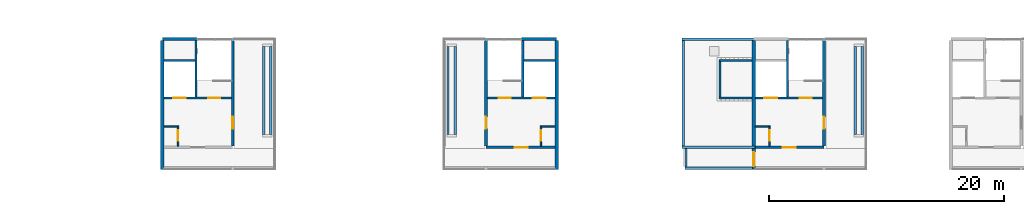
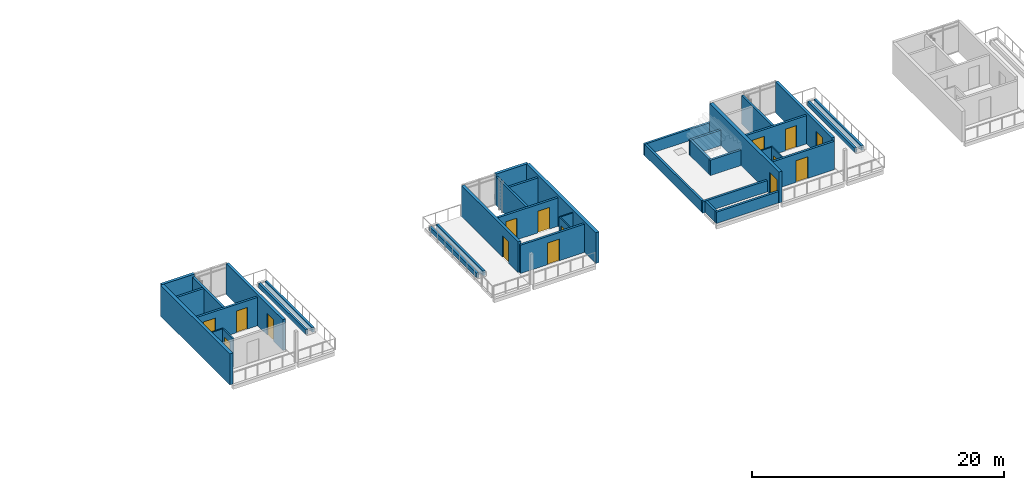
# One storey, part 24 of 33: 38 walls, 15 doors, 15 openings.
"""IFC4 building model written with IfcOpenShell, lengths in metres."""

from ifc_helpers import new_model, si_unit, direction, frame, frame_2d, origin, place, context, subcontext, project, spatial, rectangle, extrude, material, layer, layer_set, type_object, element, fill, save


model = new_model("IFC4")

# Units and contexts
model_context = context("Model", 3, precision=1e-05, world=origin(), true_north=direction((0.0, 1.0)))
body_context = subcontext(model_context, "Body", "Model", "MODEL_VIEW")
ifc_project = project(units=[si_unit("LENGTHUNIT", "METRE"), si_unit("AREAUNIT", "SQUARE_METRE"), si_unit("VOLUMEUNIT", "CUBIC_METRE"), si_unit("PLANEANGLEUNIT", "RADIAN"), si_unit("MASSUNIT", "GRAM", prefix="KILO")], contexts=[model_context])

# Site, building, storey
site_placement = place(None, origin())
site = spatial("IfcSite", under=ifc_project, at=site_placement, CompositionType="ELEMENT")
building_placement = place(site_placement, origin())
building = spatial("IfcBuilding", under=site, at=building_placement, Name="Ridgestep Commons", CompositionType="ELEMENT")
storey_placement = place(building_placement, frame((0.0, 0.0, 42.0)))
storey = spatial("IfcBuildingStorey", under=building, at=storey_placement, Name="L14", CompositionType="ELEMENT", Elevation=42.0)

# Wall, opening, door
ifc_material_1 = material(Name="Concrete C30/37", Category="concrete")
ifc_layer_1 = layer(ifc_material_1, 0.199951171875)
ifc_layer_set_1 = layer_set([ifc_layer_1], Name="Core south wall 200")
wall_type_1 = type_object("IfcWallType", Name="Core south wall 200", PredefinedType="SHEAR", material=ifc_layer_set_1)
wall_1_placement = place(storey_placement, frame((191.199951171875, 13.64990234375, 0.0), z_axis=(0.0, 0.0, 1.0), x_axis=(1.0, 0.0, 0.0)))
wall_1 = element("IfcWall", 1, at=wall_1_placement, inside=storey, type_object=wall_type_1, Name="Core south wall D3C L14", PredefinedType="SHEAR", context=body_context, shape_type="SweptSolid", body=[
    extrude(rectangle(XDim=5.85009765625, YDim=0.199951171875, at=frame_2d((2.925048828125, 0.0))), origin(), (0.0, 0.0, 1.0), 2.75),
])
opening_1_placement = place(wall_1_placement, frame((2.4375, 0.0, 0.0)))
opening_1 = element("IfcOpeningElement", 2, at=opening_1_placement, cuts=wall_1, Name="Opening D3C/14/1", PredefinedType="OPENING", context=body_context, shape_type="SweptSolid", body=[
    extrude(rectangle(XDim=1.10009765625, YDim=2.10009765625, at=frame_2d((0.550048828125, 1.050048828125))), frame((0.0, 0.10986328125, 0.0), z_axis=(0.0, -1.0, 0.0), x_axis=(1.0, 0.0, 0.0)), (0.0, 0.0, 1.0), 0.219970703125),
])
ifc_material_2 = material(Name="Steel fire door", Category="steel")
door_type_1 = type_object("IfcDoorType", Name="Lobby door 1100 x 2100 FD60", OperationType="NOTDEFINED", PredefinedType="DOOR", material=ifc_material_2)
door_1_placement = place(opening_1_placement, origin())
door_1 = element("IfcDoor", 3, at=door_1_placement, inside=storey, type_object=door_type_1, Name="Lobby door D3C/14/1", OperationType="SINGLE_SWING_LEFT", OverallHeight=2.10009765625, OverallWidth=1.10009765625, PredefinedType="DOOR", context=body_context, shape_type="SweptSolid", body=[
    extrude(rectangle(XDim=1.10009765625, YDim=2.10009765625, at=frame_2d((0.550048828125, 1.050048828125))), frame((0.0, 0.02490234375, 0.0), z_axis=(0.0, -1.0, 0.0), x_axis=(1.0, 0.0, 0.0)), (0.0, 0.0, 1.0), 0.050048828125),
])
fill(opening_1, door_1)

wall_2_placement = place(storey_placement, frame((214.14990234375, 13.64990234375, 0.0), z_axis=(0.0, 0.0, 1.0), x_axis=(1.0, 0.0, 0.0)))
wall_2 = element("IfcWall", 4, at=wall_2_placement, inside=storey, type_object=wall_type_1, Name="Core south wall D5C L14", PredefinedType="SHEAR", context=body_context, shape_type="SweptSolid", body=[
    extrude(rectangle(XDim=5.85009765625, YDim=0.199951171875, at=frame_2d((2.925048828125, 0.0))), origin(), (0.0, 0.0, 1.0), 2.75),
])
opening_2_placement = place(wall_2_placement, frame((2.3125, 0.0, 0.0)))
opening_2 = element("IfcOpeningElement", 5, at=opening_2_placement, cuts=wall_2, Name="Opening D5C/14/1", PredefinedType="OPENING", context=body_context, shape_type="SweptSolid", body=[
    extrude(rectangle(XDim=1.10009765625, YDim=2.10009765625, at=frame_2d((0.550048828125, 1.050048828125))), frame((0.0, 0.10986328125, 0.0), z_axis=(0.0, -1.0, 0.0), x_axis=(1.0, 0.0, 0.0)), (0.0, 0.0, 1.0), 0.219970703125),
])
door_2_placement = place(opening_2_placement, origin())
door_2 = element("IfcDoor", 6, at=door_2_placement, inside=storey, type_object=door_type_1, Name="Lobby door D5C/14/1", OperationType="SINGLE_SWING_LEFT", OverallHeight=2.10009765625, OverallWidth=1.10009765625, PredefinedType="DOOR", context=body_context, shape_type="SweptSolid", body=[
    extrude(rectangle(XDim=1.10009765625, YDim=2.10009765625, at=frame_2d((0.550048828125, 1.050048828125))), frame((0.0, 0.02490234375, 0.0), z_axis=(0.0, -1.0, 0.0), x_axis=(1.0, 0.0, 0.0)), (0.0, 0.0, 1.0), 0.050048828125),
])
fill(opening_2, door_2)

ifc_material_3 = material(Name="Concrete C30/37", Category="concrete")
ifc_layer_2 = layer(ifc_material_3, 0.1201171875)
ifc_layer_set_2 = layer_set([ifc_layer_2], Name="Core wall 120")
wall_type_2 = type_object("IfcWallType", Name="Core wall 120", PredefinedType="SHEAR", material=ifc_layer_set_2)
wall_3_placement = place(storey_placement, frame((164.93994140625, 13.75, 0.0), z_axis=(0.0, 0.0, 1.0), x_axis=(0.0, 1.0, 0.0)))
wall_3 = element("IfcWall", 7, at=wall_3_placement, inside=storey, type_object=wall_type_2, Name="Core riser w wall D2C L14", PredefinedType="SHEAR", context=body_context, shape_type="SweptSolid", body=[
    extrude(rectangle(XDim=1.719970703125, YDim=0.1201171875, at=frame_2d((0.85986328125, 0.0))), origin(), (0.0, 0.0, 1.0), 2.75),
])
opening_3_placement = place(wall_3_placement, frame((0.449951171875, 0.0, 0.0)))
opening_3 = element("IfcOpeningElement", 8, at=opening_3_placement, cuts=wall_3, Name="Opening D2C/14/4", PredefinedType="OPENING", context=body_context, shape_type="SweptSolid", body=[
    extrude(rectangle(XDim=0.89990234375, YDim=2.10009765625, at=frame_2d((0.449951171875, 1.050048828125))), frame((0.0, 0.070068359375, 0.0), z_axis=(0.0, -1.0, 0.0), x_axis=(1.0, 0.0, 0.0)), (0.0, 0.0, 1.0), 0.14013671875),
])
ifc_material_4 = material(Name="Steel fire door", Category="steel")
door_type_2 = type_object("IfcDoorType", Name="Riser door 900 x 2100 FD60", OperationType="NOTDEFINED", PredefinedType="DOOR", material=ifc_material_4)
door_3_placement = place(opening_3_placement, origin())
door_3 = element("IfcDoor", 9, at=door_3_placement, inside=storey, type_object=door_type_2, Name="Riser door D2C/14/4", OperationType="SINGLE_SWING_RIGHT", OverallHeight=2.10009765625, OverallWidth=0.89990234375, PredefinedType="DOOR", context=body_context, shape_type="SweptSolid", body=[
    extrude(rectangle(XDim=0.89990234375, YDim=2.10009765625, at=frame_2d((0.449951171875, 1.050048828125))), frame((0.0, 0.02490234375, 0.0), z_axis=(0.0, -1.0, 0.0), x_axis=(1.0, 0.0, 0.0)), (0.0, 0.0, 1.0), 0.050048828125),
])
fill(opening_3, door_3)

# Wall
wall_4_placement = place(storey_placement, frame((163.75, 15.409912109375, 0.0), z_axis=(0.0, 0.0, 1.0), x_axis=(1.0, 0.0, 0.0)))
element("IfcWall", 10, at=wall_4_placement, inside=storey, type_object=wall_type_2, Name="Core riser n wall D2C L14", PredefinedType="SHEAR", context=body_context, shape_type="SweptSolid", body=[
    extrude(rectangle(XDim=1.1298828125, YDim=0.1201171875, at=frame_2d((0.56494140625, 0.0))), origin(), (0.0, 0.0, 1.0), 2.75),
])

# Wall, opening, door
wall_5_placement = place(storey_placement, frame((195.860107421875, 13.75, 0.0), z_axis=(0.0, 0.0, 1.0), x_axis=(0.0, 1.0, 0.0)))
wall_5 = element("IfcWall", 11, at=wall_5_placement, inside=storey, type_object=wall_type_2, Name="Core riser w wall D3C L14", PredefinedType="SHEAR", context=body_context, shape_type="SweptSolid", body=[
    extrude(rectangle(XDim=1.719970703125, YDim=0.1201171875, at=frame_2d((0.85986328125, 0.0))), origin(), (0.0, 0.0, 1.0), 2.75),
])
opening_4_placement = place(wall_5_placement, frame((0.449951171875, 0.0, 0.0)))
opening_4 = element("IfcOpeningElement", 12, at=opening_4_placement, cuts=wall_5, Name="Opening D3C/14/4", PredefinedType="OPENING", context=body_context, shape_type="SweptSolid", body=[
    extrude(rectangle(XDim=0.89990234375, YDim=2.10009765625, at=frame_2d((0.449951171875, 1.050048828125))), frame((0.0, 0.070068359375, 0.0), z_axis=(0.0, -1.0, 0.0), x_axis=(1.0, 0.0, 0.0)), (0.0, 0.0, 1.0), 0.14013671875),
])
door_4_placement = place(opening_4_placement, origin())
door_4 = element("IfcDoor", 13, at=door_4_placement, inside=storey, type_object=door_type_2, Name="Riser door D3C/14/4", OperationType="SINGLE_SWING_LEFT", OverallHeight=2.10009765625, OverallWidth=0.89990234375, PredefinedType="DOOR", context=body_context, shape_type="SweptSolid", body=[
    extrude(rectangle(XDim=0.89990234375, YDim=2.10009765625, at=frame_2d((0.449951171875, 1.050048828125))), frame((0.0, 0.02490234375, 0.0), z_axis=(0.0, -1.0, 0.0), x_axis=(1.0, 0.0, 0.0)), (0.0, 0.0, 1.0), 0.050048828125),
])
fill(opening_4, door_4)

# Wall
wall_6_placement = place(storey_placement, frame((195.919921875, 15.409912109375, 0.0), z_axis=(0.0, 0.0, 1.0), x_axis=(1.0, 0.0, 0.0)))
element("IfcWall", 14, at=wall_6_placement, inside=storey, type_object=wall_type_2, Name="Core riser n wall D3C L14", PredefinedType="SHEAR", context=body_context, shape_type="SweptSolid", body=[
    extrude(rectangle(XDim=1.130126953125, YDim=0.1201171875, at=frame_2d((0.56494140625, 0.0))), origin(), (0.0, 0.0, 1.0), 2.75),
])

# Wall, opening, door
wall_7_placement = place(storey_placement, frame((215.340087890625, 13.75, 0.0), z_axis=(0.0, 0.0, 1.0), x_axis=(0.0, 1.0, 0.0)))
wall_7 = element("IfcWall", 15, at=wall_7_placement, inside=storey, type_object=wall_type_2, Name="Core riser w wall D5C L14", PredefinedType="SHEAR", context=body_context, shape_type="SweptSolid", body=[
    extrude(rectangle(XDim=1.719970703125, YDim=0.1201171875, at=frame_2d((0.85986328125, 0.0))), origin(), (0.0, 0.0, 1.0), 2.75),
])
opening_5_placement = place(wall_7_placement, frame((0.449951171875, 0.0, 0.0)))
opening_5 = element("IfcOpeningElement", 16, at=opening_5_placement, cuts=wall_7, Name="Opening D5C/14/4", PredefinedType="OPENING", context=body_context, shape_type="SweptSolid", body=[
    extrude(rectangle(XDim=0.89990234375, YDim=2.10009765625, at=frame_2d((0.449951171875, 1.050048828125))), frame((0.0, 0.070068359375, 0.0), z_axis=(0.0, -1.0, 0.0), x_axis=(1.0, 0.0, 0.0)), (0.0, 0.0, 1.0), 0.14013671875),
])
door_5_placement = place(opening_5_placement, origin())
door_5 = element("IfcDoor", 17, at=door_5_placement, inside=storey, type_object=door_type_2, Name="Riser door D5C/14/4", OperationType="SINGLE_SWING_RIGHT", OverallHeight=2.10009765625, OverallWidth=0.89990234375, PredefinedType="DOOR", context=body_context, shape_type="SweptSolid", body=[
    extrude(rectangle(XDim=0.89990234375, YDim=2.10009765625, at=frame_2d((0.449951171875, 1.050048828125))), frame((0.0, 0.02490234375, 0.0), z_axis=(0.0, -1.0, 0.0), x_axis=(1.0, 0.0, 0.0)), (0.0, 0.0, 1.0), 0.050048828125),
])
fill(opening_5, door_5)

# Wall
wall_8_placement = place(storey_placement, frame((214.14990234375, 15.409912109375, 0.0), z_axis=(0.0, 0.0, 1.0), x_axis=(1.0, 0.0, 0.0)))
element("IfcWall", 18, at=wall_8_placement, inside=storey, type_object=wall_type_2, Name="Core riser n wall D5C L14", PredefinedType="SHEAR", context=body_context, shape_type="SweptSolid", body=[
    extrude(rectangle(XDim=1.130126953125, YDim=0.1201171875, at=frame_2d((0.56494140625, 0.0))), origin(), (0.0, 0.0, 1.0), 2.75),
])

# Wall, openings, doors
ifc_material_5 = material(Name="Concrete C30/37", Category="concrete")
ifc_layer_3 = layer(ifc_material_5, 0.199951171875)
ifc_layer_set_3 = layer_set([ifc_layer_3], Name="Core wall 200")
wall_type_3 = type_object("IfcWallType", Name="Core wall 200", PredefinedType="SHEAR", material=ifc_layer_set_3)
wall_9_placement = place(storey_placement, frame((163.75, 17.85009765625, 0.0), z_axis=(0.0, 0.0, 1.0), x_axis=(1.0, 0.0, 0.0)))
wall_9 = element("IfcWall", 19, at=wall_9_placement, inside=storey, type_object=wall_type_3, Name="Core lobby wall D2C L14", PredefinedType="SHEAR", context=body_context, shape_type="SweptSolid", body=[
    extrude(rectangle(XDim=5.72509765625, YDim=0.199951171875, at=frame_2d((2.862548828125, 0.0))), origin(), (0.0, 0.0, 1.0), 2.75),
])
opening_6_placement = place(wall_9_placement, frame((3.77490234375, 0.0, 0.0)))
opening_6 = element("IfcOpeningElement", 20, at=opening_6_placement, cuts=wall_9, Name="Opening D2C/14/2", PredefinedType="OPENING", context=body_context, shape_type="SweptSolid", body=[
    extrude(rectangle(XDim=1.0, YDim=2.10009765625, at=frame_2d((0.5, 1.050048828125))), frame((0.0, 0.10986328125, 0.0), z_axis=(0.0, -1.0, 0.0), x_axis=(1.0, 0.0, 0.0)), (0.0, 0.0, 1.0), 0.219970703125),
])
opening_7_placement = place(wall_9_placement, frame((0.762451171875, 0.0, 0.0)))
opening_7 = element("IfcOpeningElement", 21, at=opening_7_placement, cuts=wall_9, Name="Opening D2C/14/3", PredefinedType="OPENING", context=body_context, shape_type="SweptSolid", body=[
    extrude(rectangle(XDim=1.10009765625, YDim=2.10009765625, at=frame_2d((0.550048828125, 1.050048828125))), frame((0.0, 0.10986328125, 0.0), z_axis=(0.0, -1.0, 0.0), x_axis=(1.0, 0.0, 0.0)), (0.0, 0.0, 1.0), 0.219970703125),
])
ifc_material_6 = material(Name="Stainless steel", Category="steel")
door_type_3 = type_object("IfcDoorType", Name="Lift landing door 1100 x 2100 FD60", OperationType="DOUBLE_DOOR_SLIDING", PredefinedType="DOOR", material=ifc_material_6)
door_6_placement = place(opening_7_placement, origin())
door_6 = element("IfcDoor", 22, at=door_6_placement, inside=storey, type_object=door_type_3, Name="Landing door LD D2C L14", OperationType="DOUBLE_DOOR_SLIDING", OverallHeight=2.10009765625, OverallWidth=1.10009765625, PredefinedType="DOOR", context=body_context, shape_type="SweptSolid", body=[
    extrude(rectangle(XDim=1.10009765625, YDim=2.10009765625, at=frame_2d((0.550048828125, 1.050048828125))), frame((0.0, 0.02490234375, 0.0), z_axis=(0.0, -1.0, 0.0), x_axis=(1.0, 0.0, 0.0)), (0.0, 0.0, 1.0), 0.050048828125),
])
fill(opening_7, door_6)
ifc_material_7 = material(Name="Steel fire door", Category="steel")
door_type_4 = type_object("IfcDoorType", Name="Stair door 1000 x 2100 FD60", OperationType="NOTDEFINED", PredefinedType="DOOR", material=ifc_material_7)
door_7_placement = place(opening_6_placement, origin())
door_7 = element("IfcDoor", 23, at=door_7_placement, inside=storey, type_object=door_type_4, Name="Stair door D2C/14/2", OperationType="SINGLE_SWING_RIGHT", OverallHeight=2.10009765625, OverallWidth=1.0, PredefinedType="DOOR", context=body_context, shape_type="SweptSolid", body=[
    extrude(rectangle(XDim=1.0, YDim=2.10009765625, at=frame_2d((0.5, 1.050048828125))), frame((0.0, 0.02490234375, 0.0), z_axis=(0.0, -1.0, 0.0), x_axis=(1.0, 0.0, 0.0)), (0.0, 0.0, 1.0), 0.050048828125),
])
fill(opening_6, door_7)

# Walls
wall_10_placement = place(storey_placement, frame((166.47509765625, 17.949951171875, 0.0), z_axis=(0.0, 0.0, 1.0), x_axis=(0.0, 1.0, 0.0)))
element("IfcWall", 24, at=wall_10_placement, inside=storey, type_object=wall_type_3, Name="Core stair wall D2C L14", PredefinedType="SHEAR", context=body_context, shape_type="SweptSolid", body=[
    extrude(rectangle(XDim=4.800048828125, YDim=0.199951171875, at=frame_2d((2.39990234375, 0.0))), origin(), (0.0, 0.0, 1.0), 2.75),
])
wall_11_placement = place(storey_placement, frame((163.75, 21.050048828125, 0.0), z_axis=(0.0, 0.0, 1.0), x_axis=(1.0, 0.0, 0.0)))
element("IfcWall", 25, at=wall_11_placement, inside=storey, type_object=wall_type_3, Name="Core duct wall D2C L14", PredefinedType="SHEAR", context=body_context, shape_type="SweptSolid", body=[
    extrude(rectangle(XDim=2.625, YDim=0.199951171875, at=frame_2d((1.3125, 0.0))), origin(), (0.0, 0.0, 1.0), 2.75),
])

# Wall, openings, doors
wall_12_placement = place(storey_placement, frame((191.324951171875, 17.85009765625, 0.0), z_axis=(0.0, 0.0, 1.0), x_axis=(1.0, 0.0, 0.0)))
wall_12 = element("IfcWall", 26, at=wall_12_placement, inside=storey, type_object=wall_type_3, Name="Core lobby wall D3C L14", PredefinedType="SHEAR", context=body_context, shape_type="SweptSolid", body=[
    extrude(rectangle(XDim=5.72509765625, YDim=0.199951171875, at=frame_2d((2.862548828125, 0.0))), origin(), (0.0, 0.0, 1.0), 2.75),
])
opening_8_placement = place(wall_12_placement, frame((0.949951171875, 0.0, 0.0)))
opening_8 = element("IfcOpeningElement", 27, at=opening_8_placement, cuts=wall_12, Name="Opening D3C/14/2", PredefinedType="OPENING", context=body_context, shape_type="SweptSolid", body=[
    extrude(rectangle(XDim=1.0, YDim=2.10009765625, at=frame_2d((0.5, 1.050048828125))), frame((0.0, 0.10986328125, 0.0), z_axis=(0.0, -1.0, 0.0), x_axis=(1.0, 0.0, 0.0)), (0.0, 0.0, 1.0), 0.219970703125),
])
opening_9_placement = place(wall_12_placement, frame((3.862548828125, 0.0, 0.0)))
opening_9 = element("IfcOpeningElement", 28, at=opening_9_placement, cuts=wall_12, Name="Opening D3C/14/3", PredefinedType="OPENING", context=body_context, shape_type="SweptSolid", body=[
    extrude(rectangle(XDim=1.10009765625, YDim=2.10009765625, at=frame_2d((0.550048828125, 1.050048828125))), frame((0.0, 0.10986328125, 0.0), z_axis=(0.0, -1.0, 0.0), x_axis=(1.0, 0.0, 0.0)), (0.0, 0.0, 1.0), 0.219970703125),
])
door_8_placement = place(opening_9_placement, origin())
door_8 = element("IfcDoor", 29, at=door_8_placement, inside=storey, type_object=door_type_3, Name="Landing door LD D3C L14", OperationType="DOUBLE_DOOR_SLIDING", OverallHeight=2.10009765625, OverallWidth=1.10009765625, PredefinedType="DOOR", context=body_context, shape_type="SweptSolid", body=[
    extrude(rectangle(XDim=1.10009765625, YDim=2.10009765625, at=frame_2d((0.550048828125, 1.050048828125))), frame((0.0, 0.02490234375, 0.0), z_axis=(0.0, -1.0, 0.0), x_axis=(1.0, 0.0, 0.0)), (0.0, 0.0, 1.0), 0.050048828125),
])
fill(opening_9, door_8)
door_9_placement = place(opening_8_placement, origin())
door_9 = element("IfcDoor", 30, at=door_9_placement, inside=storey, type_object=door_type_4, Name="Stair door D3C/14/2", OperationType="SINGLE_SWING_RIGHT", OverallHeight=2.10009765625, OverallWidth=1.0, PredefinedType="DOOR", context=body_context, shape_type="SweptSolid", body=[
    extrude(rectangle(XDim=1.0, YDim=2.10009765625, at=frame_2d((0.5, 1.050048828125))), frame((0.0, 0.02490234375, 0.0), z_axis=(0.0, -1.0, 0.0), x_axis=(1.0, 0.0, 0.0)), (0.0, 0.0, 1.0), 0.050048828125),
])
fill(opening_8, door_9)

# Walls
wall_13_placement = place(storey_placement, frame((194.324951171875, 17.949951171875, 0.0), z_axis=(0.0, 0.0, 1.0), x_axis=(0.0, 1.0, 0.0)))
element("IfcWall", 31, at=wall_13_placement, inside=storey, type_object=wall_type_3, Name="Core stair wall D3C L14", PredefinedType="SHEAR", context=body_context, shape_type="SweptSolid", body=[
    extrude(rectangle(XDim=4.800048828125, YDim=0.199951171875, at=frame_2d((2.39990234375, 0.0))), origin(), (0.0, 0.0, 1.0), 2.75),
])
wall_14_placement = place(storey_placement, frame((194.425048828125, 21.050048828125, 0.0), z_axis=(0.0, 0.0, 1.0), x_axis=(1.0, 0.0, 0.0)))
element("IfcWall", 32, at=wall_14_placement, inside=storey, type_object=wall_type_3, Name="Core duct wall D3C L14", PredefinedType="SHEAR", context=body_context, shape_type="SweptSolid", body=[
    extrude(rectangle(XDim=2.625, YDim=0.199951171875, at=frame_2d((1.3125, 0.0))), origin(), (0.0, 0.0, 1.0), 2.75),
])

# Wall, openings, doors
wall_15_placement = place(storey_placement, frame((214.14990234375, 17.85009765625, 0.0), z_axis=(0.0, 0.0, 1.0), x_axis=(1.0, 0.0, 0.0)))
wall_15 = element("IfcWall", 33, at=wall_15_placement, inside=storey, type_object=wall_type_3, Name="Core lobby wall D5C L14", PredefinedType="SHEAR", context=body_context, shape_type="SweptSolid", body=[
    extrude(rectangle(XDim=5.72509765625, YDim=0.199951171875, at=frame_2d((2.862548828125, 0.0))), origin(), (0.0, 0.0, 1.0), 2.75),
])
opening_10_placement = place(wall_15_placement, frame((3.77490234375, 0.0, 0.0)))
opening_10 = element("IfcOpeningElement", 34, at=opening_10_placement, cuts=wall_15, Name="Opening D5C/14/2", PredefinedType="OPENING", context=body_context, shape_type="SweptSolid", body=[
    extrude(rectangle(XDim=1.0, YDim=2.10009765625, at=frame_2d((0.5, 1.050048828125))), frame((0.0, 0.10986328125, 0.0), z_axis=(0.0, -1.0, 0.0), x_axis=(1.0, 0.0, 0.0)), (0.0, 0.0, 1.0), 0.219970703125),
])
opening_11_placement = place(wall_15_placement, frame((0.762451171875, 0.0, 0.0)))
opening_11 = element("IfcOpeningElement", 35, at=opening_11_placement, cuts=wall_15, Name="Opening D5C/14/3", PredefinedType="OPENING", context=body_context, shape_type="SweptSolid", body=[
    extrude(rectangle(XDim=1.10009765625, YDim=2.10009765625, at=frame_2d((0.550048828125, 1.050048828125))), frame((0.0, 0.10986328125, 0.0), z_axis=(0.0, -1.0, 0.0), x_axis=(1.0, 0.0, 0.0)), (0.0, 0.0, 1.0), 0.219970703125),
])
door_10_placement = place(opening_11_placement, origin())
door_10 = element("IfcDoor", 36, at=door_10_placement, inside=storey, type_object=door_type_3, Name="Landing door LD D5C L14", OperationType="DOUBLE_DOOR_SLIDING", OverallHeight=2.10009765625, OverallWidth=1.10009765625, PredefinedType="DOOR", context=body_context, shape_type="SweptSolid", body=[
    extrude(rectangle(XDim=1.10009765625, YDim=2.10009765625, at=frame_2d((0.550048828125, 1.050048828125))), frame((0.0, 0.02490234375, 0.0), z_axis=(0.0, -1.0, 0.0), x_axis=(1.0, 0.0, 0.0)), (0.0, 0.0, 1.0), 0.050048828125),
])
fill(opening_11, door_10)
door_11_placement = place(opening_10_placement, origin())
door_11 = element("IfcDoor", 37, at=door_11_placement, inside=storey, type_object=door_type_4, Name="Stair door D5C/14/2", OperationType="SINGLE_SWING_RIGHT", OverallHeight=2.10009765625, OverallWidth=1.0, PredefinedType="DOOR", context=body_context, shape_type="SweptSolid", body=[
    extrude(rectangle(XDim=1.0, YDim=2.10009765625, at=frame_2d((0.5, 1.050048828125))), frame((0.0, 0.02490234375, 0.0), z_axis=(0.0, -1.0, 0.0), x_axis=(1.0, 0.0, 0.0)), (0.0, 0.0, 1.0), 0.050048828125),
])
fill(opening_10, door_11)

# Wall
wall_16_placement = place(storey_placement, frame((216.875, 17.949951171875, 0.0), z_axis=(0.0, 0.0, 1.0), x_axis=(0.0, 1.0, 0.0)))
element("IfcWall", 38, at=wall_16_placement, inside=storey, type_object=wall_type_3, Name="Core stair wall D5C L14", PredefinedType="SHEAR", context=body_context, shape_type="SweptSolid", body=[
    extrude(rectangle(XDim=4.800048828125, YDim=0.199951171875, at=frame_2d((2.39990234375, 0.0))), origin(), (0.0, 0.0, 1.0), 2.75),
])

# Wall, opening, door
ifc_material_8 = material(Name="Concrete C30/37", Category="concrete")
ifc_layer_4 = layer(ifc_material_8, 0.25)
ifc_layer_set_4 = layer_set([ifc_layer_4], Name="Exposed core cross wall 250")
wall_type_4 = type_object("IfcWallType", Name="Exposed core cross wall 250", PredefinedType="SHEAR", material=ifc_layer_set_4)
wall_17_placement = place(storey_placement, frame((169.60009765625, 13.75, 0.0), z_axis=(0.0, 0.0, 1.0), x_axis=(0.0, 1.0, 0.0)))
wall_17 = element("IfcWall", 39, at=wall_17_placement, inside=storey, type_object=wall_type_4, Name="Cross wall D-14-1696", PredefinedType="SHEAR", context=body_context, shape_type="SweptSolid", body=[
    extrude(rectangle(XDim=9.0, YDim=0.25, at=frame_2d((4.5, 0.0))), origin(), (0.0, 0.0, 1.0), 3.0),
])
opening_12_placement = place(wall_17_placement, frame((1.5, 0.0, 0.0)))
opening_12 = element("IfcOpeningElement", 40, at=opening_12_placement, cuts=wall_17, Name="Opening D2C/14/T", PredefinedType="OPENING", context=body_context, shape_type="SweptSolid", body=[
    extrude(rectangle(XDim=1.0, YDim=2.10009765625, at=frame_2d((0.5, 1.050048828125))), frame((0.0, 0.135009765625, 0.0), z_axis=(0.0, -1.0, 0.0), x_axis=(1.0, 0.0, 0.0)), (0.0, 0.0, 1.0), 0.27001953125),
])
ifc_material_9 = material(Name="Aluminium and glass", Category="aluminium")
door_type_5 = type_object("IfcDoorType", Name="Terrace door 1000 x 2100 FD60", OperationType="NOTDEFINED", PredefinedType="DOOR", material=ifc_material_9)
door_12_placement = place(opening_12_placement, origin())
door_12 = element("IfcDoor", 41, at=door_12_placement, inside=storey, type_object=door_type_5, Name="Terrace door D2C/14/T", OperationType="SINGLE_SWING_RIGHT", OverallHeight=2.10009765625, OverallWidth=1.0, PredefinedType="DOOR", context=body_context, shape_type="SweptSolid", body=[
    extrude(rectangle(XDim=1.0, YDim=2.10009765625, at=frame_2d((0.5, 1.050048828125))), frame((0.0, 0.02490234375, 0.0), z_axis=(0.0, -1.0, 0.0), x_axis=(1.0, 0.0, 0.0)), (0.0, 0.0, 1.0), 0.050048828125),
])
fill(opening_12, door_12)

wall_18_placement = place(storey_placement, frame((191.199951171875, 13.75, 0.0), z_axis=(0.0, 0.0, 1.0), x_axis=(0.0, 1.0, 0.0)))
wall_18 = element("IfcWall", 42, at=wall_18_placement, inside=storey, type_object=wall_type_4, Name="Cross wall D-14-1912", PredefinedType="SHEAR", context=body_context, shape_type="SweptSolid", body=[
    extrude(rectangle(XDim=9.0, YDim=0.25, at=frame_2d((4.5, 0.0))), origin(), (0.0, 0.0, 1.0), 3.0),
])
opening_13_placement = place(wall_18_placement, frame((1.5, 0.0, 0.0)))
opening_13 = element("IfcOpeningElement", 43, at=opening_13_placement, cuts=wall_18, Name="Opening D3C/14/T", PredefinedType="OPENING", context=body_context, shape_type="SweptSolid", body=[
    extrude(rectangle(XDim=1.0, YDim=2.10009765625, at=frame_2d((0.5, 1.050048828125))), frame((0.0, 0.135009765625, 0.0), z_axis=(0.0, -1.0, 0.0), x_axis=(1.0, 0.0, 0.0)), (0.0, 0.0, 1.0), 0.27001953125),
])
door_13_placement = place(opening_13_placement, origin())
door_13 = element("IfcDoor", 44, at=door_13_placement, inside=storey, type_object=door_type_5, Name="Terrace door D3C/14/T", OperationType="SINGLE_SWING_LEFT", OverallHeight=2.10009765625, OverallWidth=1.0, PredefinedType="DOOR", context=body_context, shape_type="SweptSolid", body=[
    extrude(rectangle(XDim=1.0, YDim=2.10009765625, at=frame_2d((0.5, 1.050048828125))), frame((0.0, 0.02490234375, 0.0), z_axis=(0.0, -1.0, 0.0), x_axis=(1.0, 0.0, 0.0)), (0.0, 0.0, 1.0), 0.050048828125),
])
fill(opening_13, door_13)

wall_19_placement = place(storey_placement, frame((220.0, 13.75, 0.0), z_axis=(0.0, 0.0, 1.0), x_axis=(0.0, 1.0, 0.0)))
wall_19 = element("IfcWall", 45, at=wall_19_placement, inside=storey, type_object=wall_type_4, Name="Cross wall D-14-2200", PredefinedType="SHEAR", context=body_context, shape_type="SweptSolid", body=[
    extrude(rectangle(XDim=9.0, YDim=0.25, at=frame_2d((4.5, 0.0))), origin(), (0.0, 0.0, 1.0), 3.0),
])
opening_14_placement = place(wall_19_placement, frame((1.5, 0.0, 0.0)))
opening_14 = element("IfcOpeningElement", 46, at=opening_14_placement, cuts=wall_19, Name="Opening D5C/14/T", PredefinedType="OPENING", context=body_context, shape_type="SweptSolid", body=[
    extrude(rectangle(XDim=1.0, YDim=2.10009765625, at=frame_2d((0.5, 1.050048828125))), frame((0.0, 0.135009765625, 0.0), z_axis=(0.0, -1.0, 0.0), x_axis=(1.0, 0.0, 0.0)), (0.0, 0.0, 1.0), 0.27001953125),
])
door_14_placement = place(opening_14_placement, origin())
door_14 = element("IfcDoor", 47, at=door_14_placement, inside=storey, type_object=door_type_5, Name="Terrace door D5C/14/T", OperationType="SINGLE_SWING_RIGHT", OverallHeight=2.10009765625, OverallWidth=1.0, PredefinedType="DOOR", context=body_context, shape_type="SweptSolid", body=[
    extrude(rectangle(XDim=1.0, YDim=2.10009765625, at=frame_2d((0.5, 1.050048828125))), frame((0.0, 0.02490234375, 0.0), z_axis=(0.0, -1.0, 0.0), x_axis=(1.0, 0.0, 0.0)), (0.0, 0.0, 1.0), 0.050048828125),
])
fill(opening_14, door_14)

# Walls
ifc_material_10 = material(Name="Precast concrete C40/50", Category="concrete")
ifc_layer_5 = layer(ifc_material_10, 0.300048828125)
ifc_layer_set_5 = layer_set([ifc_layer_5], Name="Exposed division wall 300")
wall_type_5 = type_object("IfcWallType", Name="Exposed division wall 300", PredefinedType="SHEAR", material=ifc_layer_set_5)
for number, where, z_axis, x_axis, name in (
    (48, (163.60009765625, 11.75, 0.0), (0.0, 0.0, 1.0), (0.0, 1.0, 0.0), "Cross wall D-14-1636"),
    (49, (197.199951171875, 11.75, 0.0), (0.0, 0.0, 1.0), (0.0, 1.0, 0.0), "Cross wall D-14-1972"),
):
    element("IfcWall", number, at=place(storey_placement, frame(where, z_axis=z_axis, x_axis=x_axis)), inside=storey, type_object=wall_type_5, Name=name, PredefinedType="SHEAR", context=body_context, shape_type="SweptSolid", body=[
        extrude(rectangle(XDim=11.0, YDim=0.300048828125, at=frame_2d((5.5, 0.0))), origin(), (0.0, 0.0, 1.0), 3.0),
    ])

# Wall, opening, door
wall_20_placement = place(storey_placement, frame((214.0, 11.75, 0.0), z_axis=(0.0, 0.0, 1.0), x_axis=(0.0, 1.0, 0.0)))
wall_20 = element("IfcWall", 50, at=wall_20_placement, inside=storey, type_object=wall_type_5, Name="Cross wall D-14-2140", PredefinedType="SHEAR", context=body_context, shape_type="SweptSolid", body=[
    extrude(rectangle(XDim=11.0, YDim=0.300048828125, at=frame_2d((5.5, 0.0))), origin(), (0.0, 0.0, 1.0), 3.0),
])
opening_15_placement = place(wall_20_placement, frame((0.300048828125, 0.0, 0.0)))
opening_15 = element("IfcOpeningElement", 51, at=opening_15_placement, cuts=wall_20, Name="Opening D/14/G2140", PredefinedType="OPENING", context=body_context, shape_type="SweptSolid", body=[
    extrude(rectangle(XDim=1.199951171875, YDim=2.10009765625, at=frame_2d((0.60009765625, 1.050048828125))), frame((0.0, 0.159912109375, 0.0), z_axis=(0.0, -1.0, 0.0), x_axis=(1.0, 0.0, 0.0)), (0.0, 0.0, 1.0), 0.320068359375),
])
ifc_material_11 = material(Name="Steel fire door", Category="steel")
door_type_6 = type_object("IfcDoorType", Name="Division fire door 1200 x 2100 EI 240", OperationType="DOUBLE_DOOR_SINGLE_SWING", PredefinedType="DOOR", material=ifc_material_11)
door_15_placement = place(opening_15_placement, origin())
door_15 = element("IfcDoor", 52, at=door_15_placement, inside=storey, type_object=door_type_6, Name="Division fire door D/14/G2140", OperationType="DOUBLE_DOOR_SINGLE_SWING", OverallHeight=2.10009765625, OverallWidth=1.199951171875, PredefinedType="DOOR", context=body_context, shape_type="SweptSolid", body=[
    extrude(rectangle(XDim=1.199951171875, YDim=2.10009765625, at=frame_2d((0.60009765625, 1.050048828125))), frame((0.0, 0.02490234375, 0.0), z_axis=(0.0, -1.0, 0.0), x_axis=(1.0, 0.0, 0.0)), (0.0, 0.0, 1.0), 0.050048828125),
])
fill(opening_15, door_15)

# Walls
ifc_material_12 = material(Name="Concrete C30/37", Category="concrete")
ifc_layer_6 = layer(ifc_material_12, 0.199951171875)
ifc_layer_set_6 = layer_set([ifc_layer_6], Name="Lift overrun wall 200")
wall_type_6 = type_object("IfcWallType", Name="Lift overrun wall 200", PredefinedType="SHEAR", material=ifc_layer_set_6)
for number, where, z_axis, x_axis, name in (
    (53, (211.02490234375, 17.85009765625, 0.0), (0.0, 0.0, 1.0), (1.0, 0.0, 0.0), "Lift overrun wall D4C"),
    (54, (211.02490234375, 21.050048828125, 0.0), (0.0, 0.0, 1.0), (1.0, 0.0, 0.0), "Lift overrun wall D4C"),
):
    element("IfcWall", number, at=place(storey_placement, frame(where, z_axis=z_axis, x_axis=x_axis)), inside=storey, type_object=wall_type_6, Name=name, PredefinedType="SHEAR", context=body_context, shape_type="SweptSolid", body=[
        extrude(rectangle(XDim=2.8251953125, YDim=0.199951171875, at=frame_2d((1.41259765625, 0.0))), origin(), (0.0, 0.0, 1.0), 1.5),
    ])
wall_21_placement = place(storey_placement, frame((211.125, 17.949951171875, 0.0), z_axis=(0.0, 0.0, 1.0), x_axis=(0.0, 1.0, 0.0)))
element("IfcWall", 55, at=wall_21_placement, inside=storey, type_object=wall_type_6, Name="Lift overrun wall D4C", PredefinedType="SHEAR", context=body_context, shape_type="SweptSolid", body=[
    extrude(rectangle(XDim=3.0, YDim=0.199951171875, at=frame_2d((1.5, 0.0))), origin(), (0.0, 0.0, 1.0), 1.5),
])
ifc_material_13 = material(Name="Precast concrete C40/50", Category="concrete")
ifc_layer_7 = layer(ifc_material_13, 0.25)
ifc_layer_set_7 = layer_set([ifc_layer_7], Name="North facade panel 250")
wall_type_7 = type_object("IfcWallType", Name="North facade panel 250", PredefinedType="SOLIDWALL", material=ifc_layer_set_7)
for number, where, z_axis, x_axis, name in (
    (56, (163.60009765625, 22.875, 0.0), (0.0, 0.0, 1.0), (1.0, 0.0, 0.0), "North panel D2C L14"),
    (57, (194.22509765625, 22.875, 0.0), (0.0, 0.0, 1.0), (1.0, 0.0, 0.0), "North panel D3C L14"),
):
    element("IfcWall", number, at=place(storey_placement, frame(where, z_axis=z_axis, x_axis=x_axis)), inside=storey, type_object=wall_type_7, Name=name, PredefinedType="SOLIDWALL", context=body_context, shape_type="SweptSolid", body=[
        extrude(rectangle(XDim=2.974853515625, YDim=0.25, at=frame_2d((1.4873046875, 0.0))), origin(), (0.0, 0.0, 1.0), 3.0),
    ])
ifc_material_14 = material(Name="Precast concrete C40/50", Category="concrete")
ifc_layer_8 = layer(ifc_material_14, 0.199951171875)
ifc_layer_set_8 = layer_set([ifc_layer_8], Name="Parapet wall 200")
wall_type_8 = type_object("IfcWallType", Name="Parapet wall 200", PredefinedType="PARAPET", material=ifc_layer_set_8)
for number, where, z_axis, x_axis, name in (
    (58, (207.89990234375, 22.875, 0.0), (0.0, 0.0, 1.0), (1.0, 0.0, 0.0), "Parapet D4C north"),
    (59, (207.89990234375, 13.64990234375, 0.0), (0.0, 0.0, 1.0), (1.0, 0.0, 0.0), "Parapet D4C south"),
):
    element("IfcWall", number, at=place(storey_placement, frame(where, z_axis=z_axis, x_axis=x_axis)), inside=storey, type_object=wall_type_8, Name=name, PredefinedType="PARAPET", context=body_context, shape_type="SweptSolid", body=[
        extrude(rectangle(XDim=6.2001953125, YDim=0.199951171875, at=frame_2d((3.10009765625, 0.0))), origin(), (0.0, 0.0, 1.0), 1.10009765625),
    ])
wall_22_placement = place(storey_placement, frame((208.0, 13.75, 0.0), z_axis=(0.0, 0.0, 1.0), x_axis=(0.0, 1.0, 0.0)))
element("IfcWall", 60, at=wall_22_placement, inside=storey, type_object=wall_type_8, Name="Parapet D4C west", PredefinedType="PARAPET", context=body_context, shape_type="SweptSolid", body=[
    extrude(rectangle(XDim=9.02490234375, YDim=0.199951171875, at=frame_2d((4.512451171875, 0.0))), origin(), (0.0, 0.0, 1.0), 1.10009765625),
])
wall_23_placement = place(storey_placement, frame((208.125, 11.875, 0.0), z_axis=(0.0, 0.0, 1.0), x_axis=(1.0, 0.0, 0.0)))
element("IfcWall", 61, at=wall_23_placement, inside=storey, type_object=wall_type_8, Name="Parapet D4C gallery south", PredefinedType="PARAPET", context=body_context, shape_type="SweptSolid", body=[
    extrude(rectangle(XDim=5.75, YDim=0.199951171875, at=frame_2d((2.875, 0.0))), origin(), (0.0, 0.0, 1.0), 1.10009765625),
])
wall_24_placement = place(storey_placement, frame((208.22509765625, 11.97509765625, 0.0), z_axis=(0.0, 0.0, 1.0), x_axis=(0.0, 1.0, 0.0)))
element("IfcWall", 62, at=wall_24_placement, inside=storey, type_object=wall_type_8, Name="Parapet D4C gallery west", PredefinedType="PARAPET", context=body_context, shape_type="SweptSolid", body=[
    extrude(rectangle(XDim=1.574951171875, YDim=0.199951171875, at=frame_2d((0.78759765625, 0.0))), origin(), (0.0, 0.0, 1.0), 1.10009765625),
])
ifc_material_15 = material(Name="Facing brick", Category="masonry")
ifc_layer_9 = layer(ifc_material_15, 0.199951171875)
ifc_layer_set_9 = layer_set([ifc_layer_9], Name="Planter wall 200")
wall_type_9 = type_object("IfcWallType", Name="Planter wall 200", PredefinedType="SOLIDWALL", material=ifc_layer_set_9)
for number, where, z_axis, x_axis, name in (
    (63, (172.25, 14.75, 0.010009765625), (0.0, 0.0, 1.0), (0.0, 1.0, 0.0), "Planter wall D2R3W"),
    (64, (172.85009765625, 14.75, 0.010009765625), (0.0, 0.0, 1.0), (0.0, 1.0, 0.0), "Planter wall D2R3E"),
    (65, (187.949951171875, 14.75, 0.010009765625), (0.0, 0.0, 1.0), (0.0, 1.0, 0.0), "Planter wall D3R3W"),
    (66, (188.550048828125, 14.75, 0.010009765625), (0.0, 0.0, 1.0), (0.0, 1.0, 0.0), "Planter wall D3R3E"),
    (67, (222.64990234375, 14.75, 0.010009765625), (0.0, 0.0, 1.0), (0.0, 1.0, 0.0), "Planter wall D5R3W"),
    (68, (223.25, 14.75, 0.010009765625), (0.0, 0.0, 1.0), (0.0, 1.0, 0.0), "Planter wall D5R3E"),
):
    element("IfcWall", number, at=place(storey_placement, frame(where, z_axis=z_axis, x_axis=x_axis)), inside=storey, type_object=wall_type_9, Name=name, PredefinedType="SOLIDWALL", context=body_context, shape_type="SweptSolid", body=[
        extrude(rectangle(XDim=7.5, YDim=0.199951171875, at=frame_2d((3.75, 0.0))), origin(), (0.0, 0.0, 1.0), 0.449951171875),
    ])

save(model, "model.ifc")
